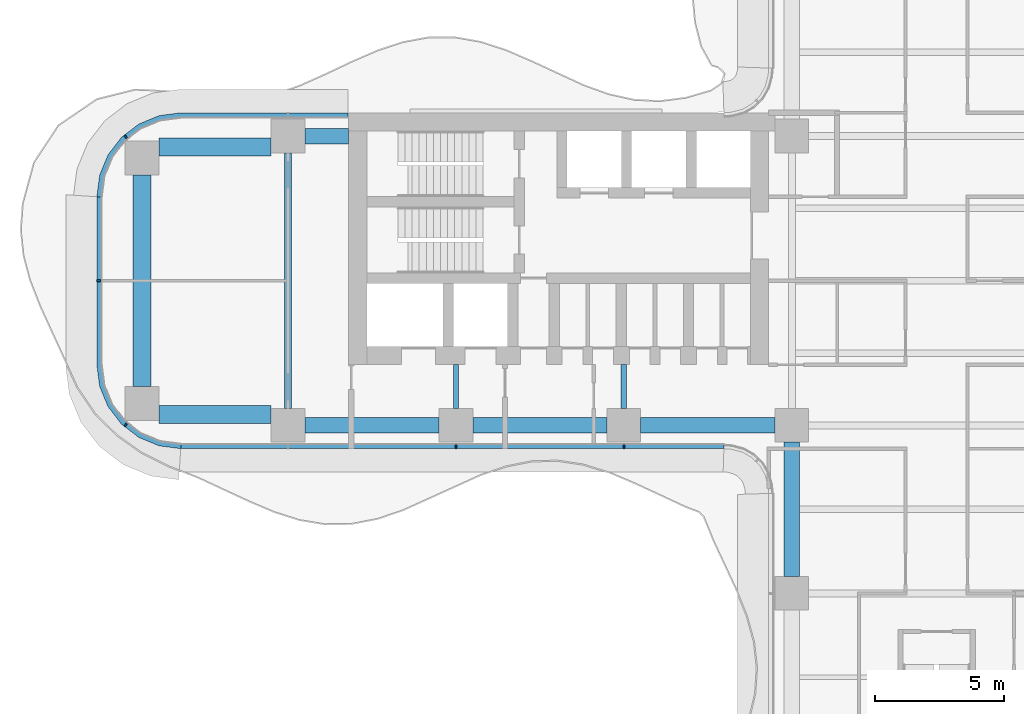
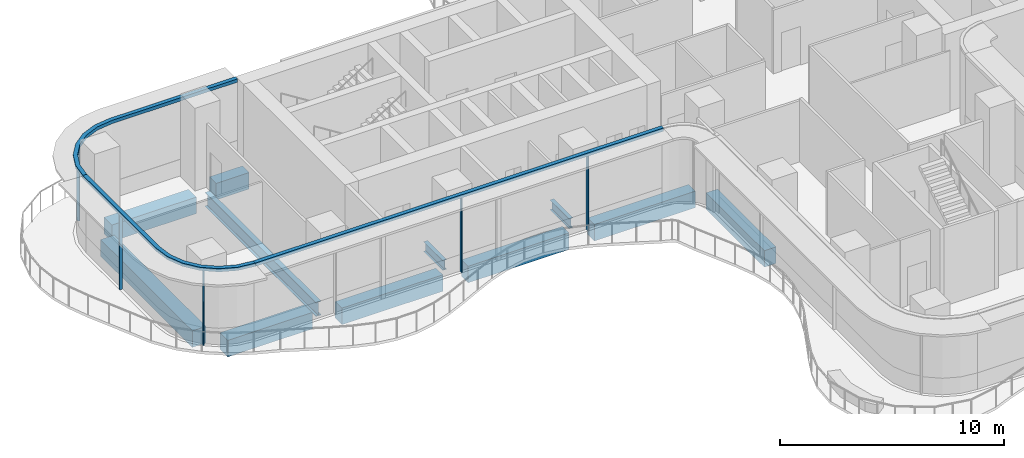
# One storey, part 3 of 21: 11 beams, 8 members, 3 elements without a shape of their own.
"""IFC4 building model written with IfcOpenShell, lengths in metres."""

from ifc_helpers import new_model, si_unit, direction, frame, origin, origin_2d, place, context, subcontext, project, spatial, polyline, rectangle, i_section, outline, extrude, source, transform, mapped, material, layer, layer_set, material_profile, profile_set, type_object, element, aggregate, save


model = new_model("IFC4")

# Units and contexts
model_context = context("Model", 3, precision=1e-05, world=origin(), true_north=direction((0.0, 1.0)))
body_context = subcontext(model_context, "Body", "Model", "MODEL_VIEW")
ifc_project = project(units=[si_unit("LENGTHUNIT", "METRE"), si_unit("AREAUNIT", "SQUARE_METRE"), si_unit("VOLUMEUNIT", "CUBIC_METRE"), si_unit("PLANEANGLEUNIT", "RADIAN"), si_unit("MASSUNIT", "GRAM", prefix="KILO")], contexts=[model_context])

# Site, building, storey
site_placement = place(None, origin())
site = spatial("IfcSite", under=ifc_project, at=site_placement, CompositionType="ELEMENT")
building_placement = place(site_placement, origin())
building = spatial("IfcBuilding", under=site, at=building_placement, Name="Trellis Farm Tower", CompositionType="ELEMENT")
storey_placement = place(building_placement, frame((0.0, 0.0, 138.0)))
storey = spatial("IfcBuildingStorey", under=building, at=storey_placement, Name="L29", CompositionType="ELEMENT", Elevation=138.0)

# Beams
ifc_material_1 = material(Name="Steel S355", Category="steel")
ifc_material_profile_1 = material_profile(ifc_material_1, i_section(OverallWidth=0.2666015625, OverallDepth=0.76220703125, WebThickness=0.014404296875, FlangeThickness=0.021484375, FilletRadius=0.0166015625, at=origin_2d()), Name="UB 762x267x173")
ifc_profile_set_1 = profile_set([ifc_material_profile_1], Name="Steel S355")
beam_type_1 = type_object("IfcBeamType", Name="UB 762x267x173", PredefinedType="BEAM", material=ifc_profile_set_1)
shared_shape_1 = source(origin(), body_context, "Body", "SweptSolid", [
    extrude(i_section(OverallWidth=0.2666015625, OverallDepth=0.76220703125, WebThickness=0.014404296875, FlangeThickness=0.021484375, FilletRadius=0.0166015625, at=origin_2d()), origin(), (0.0, 0.0, 1.0), 9.89990234375),
])
beam_1_placement = place(storey_placement, frame((-25.10009765625, -4.949951171875, -0.631103515625), z_axis=(0.0, 1.0, 0.0), x_axis=(-1.0, 0.0, 0.0)))
element("IfcBeam", 1, at=beam_1_placement, inside=storey, type_object=beam_type_1, Name="Girder", PredefinedType="BEAM", context=body_context, shape_type="MappedRepresentation", body=[
    mapped(shared_shape_1, transform((0.0, 0.0, 0.0))),
])
ifc_material_2 = material(Name="Concrete C60/75", Category="concrete")
ifc_material_profile_2 = material_profile(ifc_material_2, rectangle(XDim=0.60009765625, YDim=0.89990234375, at=origin_2d()), Name="RC spandrel beam 600x900 C60/75")
ifc_profile_set_2 = profile_set([ifc_material_profile_2], Name="Concrete C60/75")
beam_type_2 = type_object("IfcBeamType", Name="RC spandrel beam 600x900 C60/75", PredefinedType="SPANDREL", material=ifc_profile_set_2)
shared_shape_2 = source(origin(), body_context, "Body", "SweptSolid", [
    extrude(rectangle(XDim=0.60009765625, YDim=0.89990234375, at=origin_2d()), origin(), (0.0, 0.0, 1.0), 1.699951171875),
])
beam_2_placement = place(storey_placement, frame((-24.449951171875, 5.60009765625, -0.699951171875), z_axis=(1.0, 0.0, 0.0), x_axis=(0.0, 1.0, 0.0)))
element("IfcBeam", 2, at=beam_2_placement, inside=storey, type_object=beam_type_2, Name="Girder", PredefinedType="SPANDREL", context=body_context, shape_type="MappedRepresentation", body=[
    mapped(shared_shape_2, transform((0.0, 0.0, 0.0))),
])
ifc_material_profile_3 = material_profile(ifc_material_1, i_section(OverallWidth=0.209228515625, OverallDepth=0.533203125, WebThickness=0.010009765625, FlangeThickness=0.015625, FilletRadius=0.0126953125, at=origin_2d()), Name="UB 533x210x92")
ifc_profile_set_3 = profile_set([ifc_material_profile_3], Name="Steel S355")
beam_type_3 = type_object("IfcBeamType", Name="UB 533x210x92", PredefinedType="BEAM", material=ifc_profile_set_3)
shared_shape_3 = source(origin(), body_context, "Body", "SweptSolid", [
    extrude(i_section(OverallWidth=0.209228515625, OverallDepth=0.533203125, WebThickness=0.010009765625, FlangeThickness=0.015625, FilletRadius=0.0126953125, at=origin_2d()), origin(), (0.0, 0.0, 1.0), 1.699951171875),
])
for number, where, z_axis, x_axis, name in (
    (3, (-18.60009765625, -4.949951171875, -0.5166015625), (0.0, 1.0, 0.0), (-1.0, 0.0, 0.0), "Girder"),
    (4, (-12.10009765625, -4.949951171875, -0.5166015625), (0.0, 1.0, 0.0), (-1.0, 0.0, 0.0), "Girder"),
):
    element("IfcBeam", number, at=place(storey_placement, frame(where, z_axis=z_axis, x_axis=x_axis)), inside=storey, type_object=beam_type_3, Name=name, PredefinedType="BEAM", context=body_context, shape_type="MappedRepresentation", body=[
        mapped(shared_shape_3, transform((0.0, 0.0, 0.0))),
    ])
shared_shape_4 = source(origin(), body_context, "Body", "SweptSolid", [
    extrude(rectangle(XDim=0.60009765625, YDim=0.89990234375, at=origin_2d()), origin(), (0.0, 0.0, 1.0), 5.199951171875),
])
for number, where, z_axis, x_axis, name in (
    (5, (-24.449951171875, -5.60009765625, -0.699951171875), (1.0, 0.0, 0.0), (0.0, 1.0, 0.0), "Girder"),
    (6, (-17.949951171875, -5.60009765625, -0.699951171875), (1.0, 0.0, 0.0), (0.0, 1.0, 0.0), "Girder"),
    (7, (-11.449951171875, -5.60009765625, -0.699951171875), (1.0, 0.0, 0.0), (0.0, 1.0, 0.0), "Girder"),
    (8, (-5.60009765625, -11.449951171875, -0.699951171875), (0.0, 1.0, 0.0), (-1.0, 0.0, 0.0), "Girder"),
):
    element("IfcBeam", number, at=place(storey_placement, frame(where, z_axis=z_axis, x_axis=x_axis)), inside=storey, type_object=beam_type_2, Name=name, PredefinedType="SPANDREL", context=body_context, shape_type="MappedRepresentation", body=[
        mapped(shared_shape_4, transform((0.0, 0.0, 0.0))),
    ])
ifc_material_profile_4 = material_profile(ifc_material_2, rectangle(XDim=0.699951171875, YDim=0.89990234375, at=origin_2d()), Name="RC spandrel beam 700x900 C60/75")
ifc_profile_set_4 = profile_set([ifc_material_profile_4], Name="Concrete C60/75")
beam_type_4 = type_object("IfcBeamType", Name="RC spandrel beam 700x900 C60/75", PredefinedType="SPANDREL", material=ifc_profile_set_4)
shared_shape_5 = source(origin(), body_context, "Body", "SweptSolid", [
    extrude(rectangle(XDim=0.699951171875, YDim=0.89990234375, at=origin_2d()), origin(), (0.0, 0.0, 1.0), 4.35009765625),
])
for number, where, z_axis, x_axis, name in (
    (9, (-30.10009765625, -5.175048828125, -0.699951171875), (1.0, 0.0, 0.0), (0.0, 1.0, 0.0), "Girder"),
    (10, (-30.10009765625, 5.175048828125, -0.699951171875), (1.0, 0.0, 0.0), (0.0, 1.0, 0.0), "Girder"),
):
    element("IfcBeam", number, at=place(storey_placement, frame(where, z_axis=z_axis, x_axis=x_axis)), inside=storey, type_object=beam_type_4, Name=name, PredefinedType="SPANDREL", context=body_context, shape_type="MappedRepresentation", body=[
        mapped(shared_shape_5, transform((0.0, 0.0, 0.0))),
    ])
shared_shape_6 = source(origin(), body_context, "Body", "SweptSolid", [
    extrude(rectangle(XDim=0.699951171875, YDim=0.89990234375, at=origin_2d()), origin(), (0.0, 0.0, 1.0), 8.2001953125),
])
beam_3_placement = place(storey_placement, frame((-30.75, -4.10009765625, -0.699951171875), z_axis=(0.0, 1.0, 0.0), x_axis=(-1.0, 0.0, 0.0)))
element("IfcBeam", 11, at=beam_3_placement, inside=storey, type_object=beam_type_4, Name="Girder", PredefinedType="SPANDREL", context=body_context, shape_type="MappedRepresentation", body=[
    mapped(shared_shape_6, transform((0.0, 0.0, 0.0))),
])

# Curtain wall, members
ifc_material_3 = material(Name="Aluminium and glass curtain wall", Category="aluminium")
ifc_layer_1 = layer(ifc_material_3, 0.18994140625)
ifc_layer_set_1 = layer_set([ifc_layer_1], Name="RIBBON CURTAIN WALL CW1")
curtain_wall_type = type_object("IfcCurtainWallType", Name="RIBBON CURTAIN WALL CW1", PredefinedType="NOTDEFINED", material=ifc_layer_set_1)
placement_1 = place(storey_placement, origin())
curtain_wall_1 = element("IfcCurtainWall", 12, at=placement_1, inside=storey, type_object=curtain_wall_type, Name="CW1 001", PredefinedType="NOTDEFINED")
ifc_material_4 = material(Name="Aluminium extrusion 6063-T6", Category="aluminium")
ifc_material_profile_5 = material_profile(ifc_material_4, rectangle(XDim=0.06005859375, YDim=0.14990234375, at=origin_2d()), Name="MULLION 60x150")
ifc_profile_set_5 = profile_set([ifc_material_profile_5], Name="Aluminium extrusion 6063-T6")
member_type_1 = type_object("IfcMemberType", Name="CW1 MULLION 60x150", PredefinedType="MULLION", material=ifc_profile_set_5)
shared_shape_7 = source(origin(), body_context, "Body", "SweptSolid", [
    extrude(rectangle(XDim=0.06005859375, YDim=0.14990234375, at=origin_2d()), origin(), (0.0, 0.0, 1.0), 4.070068359375),
])
member_1_placement = place(storey_placement, frame((-18.60009765625, -6.425048828125, 0.0), z_axis=(0.0, 0.0, 1.0), x_axis=(1.0, 0.0, 0.0)))
member_1 = element("IfcMember", 13, at=member_1_placement, type_object=member_type_1, Name="MU1 001-02", PredefinedType="MULLION", context=body_context, shape_type="MappedRepresentation", body=[
    mapped(shared_shape_7, transform((0.0, 0.0, 0.0))),
])
member_2_placement = place(storey_placement, frame((-12.10009765625, -6.425048828125, 0.0), z_axis=(0.0, 0.0, 1.0), x_axis=(1.0, 0.0, 0.0)))
member_2 = element("IfcMember", 14, at=member_2_placement, type_object=member_type_1, Name="MU1 001-03", PredefinedType="MULLION", context=body_context, shape_type="MappedRepresentation", body=[
    mapped(shared_shape_7, transform((0.0, 0.0, 0.0))),
])

# Curtain wall, member
curtain_wall_2 = element("IfcCurtainWall", 15, at=placement_1, inside=storey, type_object=curtain_wall_type, Name="CW1 012", PredefinedType="NOTDEFINED")
member_3_placement = place(storey_placement, frame((-31.385498046875, 5.578369140625, 0.0), z_axis=(0.0, 0.0, 1.0), x_axis=(-0.793353340291, -0.608761429009, 0.0)))
member_3 = element("IfcMember", 16, at=member_3_placement, type_object=member_type_1, Name="MU1 012-02", PredefinedType="MULLION", context=body_context, shape_type="MappedRepresentation", body=[
    mapped(shared_shape_7, transform((0.0, 0.0, 0.0))),
])

# Curtain wall, members
curtain_wall_3 = element("IfcCurtainWall", 17, at=placement_1, inside=storey, type_object=curtain_wall_type, Name="CW1 013", PredefinedType="NOTDEFINED")
member_4_placement = place(storey_placement, frame((-32.425048828125, 0.0, 0.0), z_axis=(0.0, 0.0, 1.0), x_axis=(0.0, -1.0, 0.0)))
member_4 = element("IfcMember", 18, at=member_4_placement, type_object=member_type_1, Name="MU1 013-01", PredefinedType="MULLION", context=body_context, shape_type="MappedRepresentation", body=[
    mapped(shared_shape_7, transform((0.0, 0.0, 0.0))),
])
member_5_placement = place(storey_placement, frame((-31.385498046875, -5.578369140625, 0.0), z_axis=(0.0, 0.0, 1.0), x_axis=(0.793353340291, -0.608761429009, 0.0)))
member_5 = element("IfcMember", 19, at=member_5_placement, type_object=member_type_1, Name="MU1 013-02", PredefinedType="MULLION", context=body_context, shape_type="MappedRepresentation", body=[
    mapped(shared_shape_7, transform((0.0, 0.0, 0.0))),
])

# Member
ifc_layer_2 = layer(ifc_material_4, 0.199951171875)
ifc_layer_set_2 = layer_set([ifc_layer_2], Name="Aluminium extrusion 6063-T6")
member_type_2 = type_object("IfcMemberType", Name="CW1 TRANSOM 200x180", PredefinedType="USERDEFINED", material=ifc_layer_set_2)
shared_shape_8 = source(origin(), body_context, "Body", "SweptSolid", [
    extrude(outline(polyline([(-29.25, -6.5), (-8.2314453125, -6.5), (-8.224853515625, -6.300048828125), (-29.23681640625, -6.300048828125), (-29.25, -6.5)])), origin(), (0.0, 0.0, 1.0), 0.179931640625),
])
placement_2 = place(storey_placement, frame((0.0, 0.0, 4.070068359375)))
member_6 = element("IfcMember", 20, at=placement_2, type_object=member_type_2, Name="TR1 001", ObjectType="TRANSOM", PredefinedType="USERDEFINED", context=body_context, shape_type="MappedRepresentation", body=[
    mapped(shared_shape_8, transform((0.0, 0.0, 0.0))),
])

aggregate(curtain_wall_1, [member_1, member_2, member_6])

shared_shape_9 = source(origin(), body_context, "Body", "SweptSolid", [
    extrude(outline(polyline([(-22.780029296875, 6.5), (-29.25, 6.5), (-30.091064453125, 6.38916015625), (-30.875, 6.064697265625), (-31.548095703125, 5.548095703125), (-32.064697265625, 4.875), (-32.38916015625, 4.091064453125), (-32.5, 3.25), (-32.300048828125, 3.23681640625), (-32.1943359375, 4.0390625), (-31.889892578125, 4.774169921875), (-31.405517578125, 5.405517578125), (-30.774169921875, 5.889892578125), (-30.0390625, 6.1943359375), (-29.23681640625, 6.300048828125), (-22.780029296875, 6.300048828125), (-22.780029296875, 6.5)])), origin(), (0.0, 0.0, 1.0), 0.179931640625),
])
member_7 = element("IfcMember", 21, at=placement_2, type_object=member_type_2, Name="TR1 012", ObjectType="TRANSOM", PredefinedType="USERDEFINED", context=body_context, shape_type="MappedRepresentation", body=[
    mapped(shared_shape_9, transform((0.0, 0.0, 0.0))),
])

aggregate(curtain_wall_2, [member_3, member_7])

shared_shape_10 = source(origin(), body_context, "Body", "SweptSolid", [
    extrude(outline(polyline([(-32.5, 3.25), (-32.5, -3.25), (-32.38916015625, -4.091064453125), (-32.064697265625, -4.875), (-31.548095703125, -5.548095703125), (-30.875, -6.064697265625), (-30.091064453125, -6.38916015625), (-29.25, -6.5), (-29.23681640625, -6.300048828125), (-30.0390625, -6.1943359375), (-30.774169921875, -5.889892578125), (-31.405517578125, -5.405517578125), (-31.889892578125, -4.774169921875), (-32.1943359375, -4.0390625), (-32.300048828125, -3.23681640625), (-32.300048828125, 3.23681640625), (-32.5, 3.25)])), origin(), (0.0, 0.0, 1.0), 0.179931640625),
])
member_8 = element("IfcMember", 22, at=placement_2, type_object=member_type_2, Name="TR1 013", ObjectType="TRANSOM", PredefinedType="USERDEFINED", context=body_context, shape_type="MappedRepresentation", body=[
    mapped(shared_shape_10, transform((0.0, 0.0, 0.0))),
])

aggregate(curtain_wall_3, [member_4, member_5, member_8])

save(model, "model.ifc")
